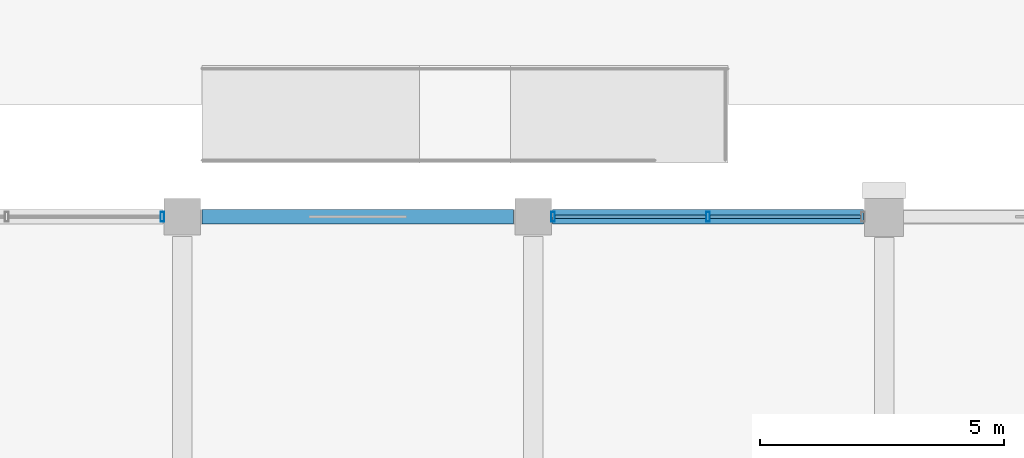
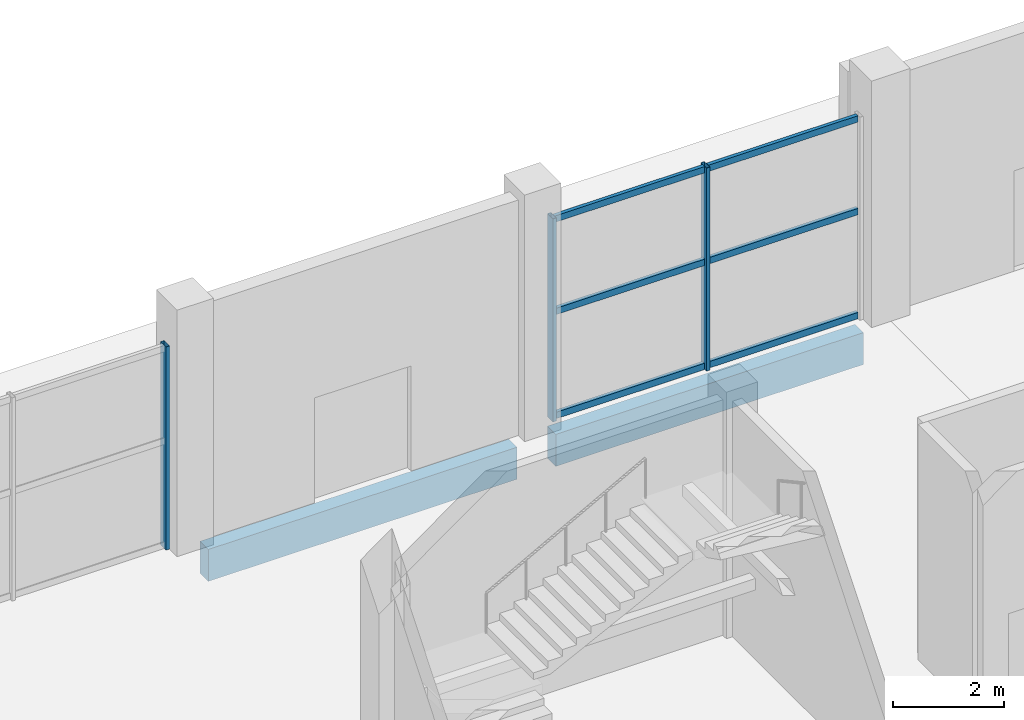
# One storey, part 48 of 90: 9 members, 2 beams, 2 elements without a shape of their own.
"""IFC4 building model written with IfcOpenShell, lengths in metres."""

from ifc_helpers import new_model, si_unit, direction, frame, origin, origin_2d, place, context, subcontext, project, spatial, rectangle, hollow_rectangle, extrude, material, layer, layer_set, material_profile, profile_set, type_object, element, aggregate, save


model = new_model("IFC4")

# Units and contexts
model_context = context("Model", 3, precision=1e-05, world=origin(), true_north=direction((0.0, 1.0)))
body_context = subcontext(model_context, "Body", "Model", "MODEL_VIEW")
ifc_project = project(units=[si_unit("LENGTHUNIT", "METRE"), si_unit("AREAUNIT", "SQUARE_METRE"), si_unit("VOLUMEUNIT", "CUBIC_METRE"), si_unit("PLANEANGLEUNIT", "RADIAN"), si_unit("MASSUNIT", "GRAM", prefix="KILO")], contexts=[model_context])

# Site, building, storey
site_placement = place(None, origin())
site = spatial("IfcSite", under=ifc_project, at=site_placement, CompositionType="ELEMENT")
building_placement = place(site_placement, origin())
building = spatial("IfcBuilding", under=site, at=building_placement, Name="Kangsadwip Square Police Headquarters", CompositionType="ELEMENT")
storey_placement = place(building_placement, origin())
storey = spatial("IfcBuildingStorey", under=building, at=storey_placement, Name="L00", CompositionType="ELEMENT", Elevation=0.0)

# Curtain wall, member
ifc_material_1 = material(Name="Thermally broken anodised aluminium AW-6063-T6", Category="aluminium")
ifc_layer_1 = layer(ifc_material_1, 0.159912109375)
ifc_layer_set_1 = layer_set([ifc_layer_1], Name="Thermally broken anodised aluminium AW-6063-T6")
curtain_wall_type_1 = type_object("IfcCurtainWallType", Name="UnitisedCw6460x4450", PredefinedType="NOTDEFINED", material=ifc_layer_set_1)
curtain_wall_1_placement = place(storey_placement, origin())
curtain_wall_1 = element("IfcCurtainWall", 1, at=curtain_wall_1_placement, inside=storey, type_object=curtain_wall_type_1, Name="Curtain Wall CW-L00-1228-1152", PredefinedType="NOTDEFINED")
ifc_material_2 = material(Name="Thermally broken anodised aluminium AW-6063-T6", Category="aluminium")
ifc_material_profile_1 = material_profile(ifc_material_2, hollow_rectangle(XDim=0.074951171875, YDim=0.199951171875, WallThickness=0.0048828125, at=origin_2d()), Name="CWM 200X75X5")
ifc_profile_set_1 = profile_set([ifc_material_profile_1], Name="Thermally broken anodised aluminium AW-6063-T6")
member_type_1 = type_object("IfcMemberType", Name="CwMullion180x75", PredefinedType="MULLION", material=ifc_profile_set_1)
member_1_placement = place(storey_placement, frame((129.1923828125, 115.199951171875, 0.0), z_axis=(0.0, 0.0, 1.0), x_axis=(1.0, 0.0, 0.0)))
member_1 = element("IfcMember", 2, at=member_1_placement, type_object=member_type_1, Name="CW-10 mullion 3", PredefinedType="MULLION", context=body_context, shape_type="SweptSolid", body=[
    extrude(hollow_rectangle(XDim=0.074951171875, YDim=0.199951171875, WallThickness=0.0048828125, at=origin_2d()), origin(), (0.0, 0.0, 1.0), 4.449951171875),
])
aggregate(curtain_wall_1, [member_1])

# Curtain wall, members
ifc_material_3 = material(Name="Thermally broken anodised aluminium AW-6063-T6", Category="aluminium")
ifc_layer_2 = layer(ifc_material_3, 0.159912109375)
ifc_layer_set_2 = layer_set([ifc_layer_2], Name="Thermally broken anodised aluminium AW-6063-T6")
curtain_wall_type_2 = type_object("IfcCurtainWallType", Name="UnitisedCw6435x4450", PredefinedType="NOTDEFINED", material=ifc_layer_set_2)
curtain_wall_2_placement = place(storey_placement, origin())
curtain_wall_2 = element("IfcCurtainWall", 3, at=curtain_wall_2_placement, inside=storey, type_object=curtain_wall_type_2, Name="Curtain Wall CW-L00-1372-1152", PredefinedType="NOTDEFINED")
member_2_placement = place(storey_placement, frame((137.20751953125, 115.199951171875, 0.0), z_axis=(0.0, 0.0, 1.0), x_axis=(1.0, 0.0, 0.0)))
member_2 = element("IfcMember", 4, at=member_2_placement, type_object=member_type_1, Name="CW-11 mullion 1", PredefinedType="MULLION", context=body_context, shape_type="SweptSolid", body=[
    extrude(hollow_rectangle(XDim=0.074951171875, YDim=0.199951171875, WallThickness=0.0048828125, at=origin_2d()), origin(), (0.0, 0.0, 1.0), 4.449951171875),
])
member_3_placement = place(storey_placement, frame((140.387451171875, 115.199951171875, 0.0), z_axis=(0.0, 0.0, 1.0), x_axis=(1.0, 0.0, 0.0)))
member_3 = element("IfcMember", 5, at=member_3_placement, type_object=member_type_1, Name="CW-11 mullion 2", PredefinedType="MULLION", context=body_context, shape_type="SweptSolid", body=[
    extrude(hollow_rectangle(XDim=0.074951171875, YDim=0.199951171875, WallThickness=0.0048828125, at=origin_2d()), origin(), (0.0, 0.0, 1.0), 4.449951171875),
])
ifc_material_4 = material(Name="Thermally broken anodised aluminium AW-6063-T6", Category="aluminium")
ifc_material_profile_2 = material_profile(ifc_material_4, hollow_rectangle(XDim=0.074951171875, YDim=0.139892578125, WallThickness=0.0048828125, at=origin_2d()), Name="CWT 140X75X5")
ifc_profile_set_2 = profile_set([ifc_material_profile_2], Name="Thermally broken anodised aluminium AW-6063-T6")
member_type_2 = type_object("IfcMemberType", Name="CwTransom160x65", PredefinedType="USERDEFINED", material=ifc_profile_set_2)
member_4_placement = place(storey_placement, frame((137.2451171875, 115.199951171875, 0.070068359375), z_axis=(1.0, 0.0, 0.0), x_axis=(0.0, 1.0, 0.0)))
member_4 = element("IfcMember", 6, at=member_4_placement, type_object=member_type_2, Name="CW-11 transom 1.1", ObjectType="TRANSOM", PredefinedType="USERDEFINED", context=body_context, shape_type="SweptSolid", body=[
    extrude(hollow_rectangle(XDim=0.074951171875, YDim=0.139892578125, WallThickness=0.0048828125, at=origin_2d()), origin(), (0.0, 0.0, 1.0), 3.10498046875),
])
member_5_placement = place(storey_placement, frame((137.2451171875, 115.199951171875, 2.35009765625), z_axis=(1.0, 0.0, 0.0), x_axis=(0.0, 1.0, 0.0)))
member_5 = element("IfcMember", 7, at=member_5_placement, type_object=member_type_2, Name="CW-11 transom 1.2", ObjectType="TRANSOM", PredefinedType="USERDEFINED", context=body_context, shape_type="SweptSolid", body=[
    extrude(hollow_rectangle(XDim=0.074951171875, YDim=0.139892578125, WallThickness=0.0048828125, at=origin_2d()), origin(), (0.0, 0.0, 1.0), 3.10498046875),
])
member_6_placement = place(storey_placement, frame((137.2451171875, 115.199951171875, 4.3798828125), z_axis=(1.0, 0.0, 0.0), x_axis=(0.0, 1.0, 0.0)))
member_6 = element("IfcMember", 8, at=member_6_placement, type_object=member_type_2, Name="CW-11 transom 1.3", ObjectType="TRANSOM", PredefinedType="USERDEFINED", context=body_context, shape_type="SweptSolid", body=[
    extrude(hollow_rectangle(XDim=0.074951171875, YDim=0.139892578125, WallThickness=0.0048828125, at=origin_2d()), origin(), (0.0, 0.0, 1.0), 3.10498046875),
])
member_7_placement = place(storey_placement, frame((140.425048828125, 115.199951171875, 0.070068359375), z_axis=(1.0, 0.0, 0.0), x_axis=(0.0, 1.0, 0.0)))
member_7 = element("IfcMember", 9, at=member_7_placement, type_object=member_type_2, Name="CW-11 transom 2.1", ObjectType="TRANSOM", PredefinedType="USERDEFINED", context=body_context, shape_type="SweptSolid", body=[
    extrude(hollow_rectangle(XDim=0.074951171875, YDim=0.139892578125, WallThickness=0.0048828125, at=origin_2d()), origin(), (0.0, 0.0, 1.0), 3.10498046875),
])
member_8_placement = place(storey_placement, frame((140.425048828125, 115.199951171875, 2.35009765625), z_axis=(1.0, 0.0, 0.0), x_axis=(0.0, 1.0, 0.0)))
member_8 = element("IfcMember", 10, at=member_8_placement, type_object=member_type_2, Name="CW-11 transom 2.2", ObjectType="TRANSOM", PredefinedType="USERDEFINED", context=body_context, shape_type="SweptSolid", body=[
    extrude(hollow_rectangle(XDim=0.074951171875, YDim=0.139892578125, WallThickness=0.0048828125, at=origin_2d()), origin(), (0.0, 0.0, 1.0), 3.10498046875),
])
member_9_placement = place(storey_placement, frame((140.425048828125, 115.199951171875, 4.3798828125), z_axis=(1.0, 0.0, 0.0), x_axis=(0.0, 1.0, 0.0)))
member_9 = element("IfcMember", 11, at=member_9_placement, type_object=member_type_2, Name="CW-11 transom 2.3", ObjectType="TRANSOM", PredefinedType="USERDEFINED", context=body_context, shape_type="SweptSolid", body=[
    extrude(hollow_rectangle(XDim=0.074951171875, YDim=0.139892578125, WallThickness=0.0048828125, at=origin_2d()), origin(), (0.0, 0.0, 1.0), 3.10498046875),
])
aggregate(curtain_wall_2, [member_2, member_3, member_4, member_5, member_6, member_7, member_8, member_9])

# Beams
ifc_material_5 = material(Name="Concrete M40 (40 MPa)", Category="concrete")
ifc_material_profile_3 = material_profile(ifc_material_5, rectangle(XDim=0.300048828125, YDim=0.699951171875, at=origin_2d()), Name="RC SPN 700X300")
ifc_profile_set_3 = profile_set([ifc_material_profile_3], Name="Concrete M40 (40 MPa)")
beam_type = type_object("IfcBeamType", Name="RcSpandrel700x300", PredefinedType="SPANDREL", material=ifc_profile_set_3)
beam_1_placement = place(storey_placement, frame((130.0, 115.199951171875, -0.60009765625), z_axis=(1.0, 0.0, 0.0), x_axis=(0.0, 1.0, 0.0)))
element("IfcBeam", 12, at=beam_1_placement, inside=storey, type_object=beam_type, Name="Beam BM-L00-X-18-16", PredefinedType="SPANDREL", context=body_context, shape_type="SweptSolid", body=[
    extrude(rectangle(XDim=0.300048828125, YDim=0.699951171875, at=origin_2d()), origin(), (0.0, 0.0, 1.0), 6.39990234375),
])
beam_2_placement = place(storey_placement, frame((137.199951171875, 115.199951171875, -0.60009765625), z_axis=(1.0, 0.0, 0.0), x_axis=(0.0, 1.0, 0.0)))
element("IfcBeam", 13, at=beam_2_placement, inside=storey, type_object=beam_type, Name="Beam BM-L00-X-19-16", PredefinedType="SPANDREL", context=body_context, shape_type="SweptSolid", body=[
    extrude(rectangle(XDim=0.300048828125, YDim=0.699951171875, at=origin_2d()), origin(), (0.0, 0.0, 1.0), 6.375),
])

save(model, "model.ifc")
